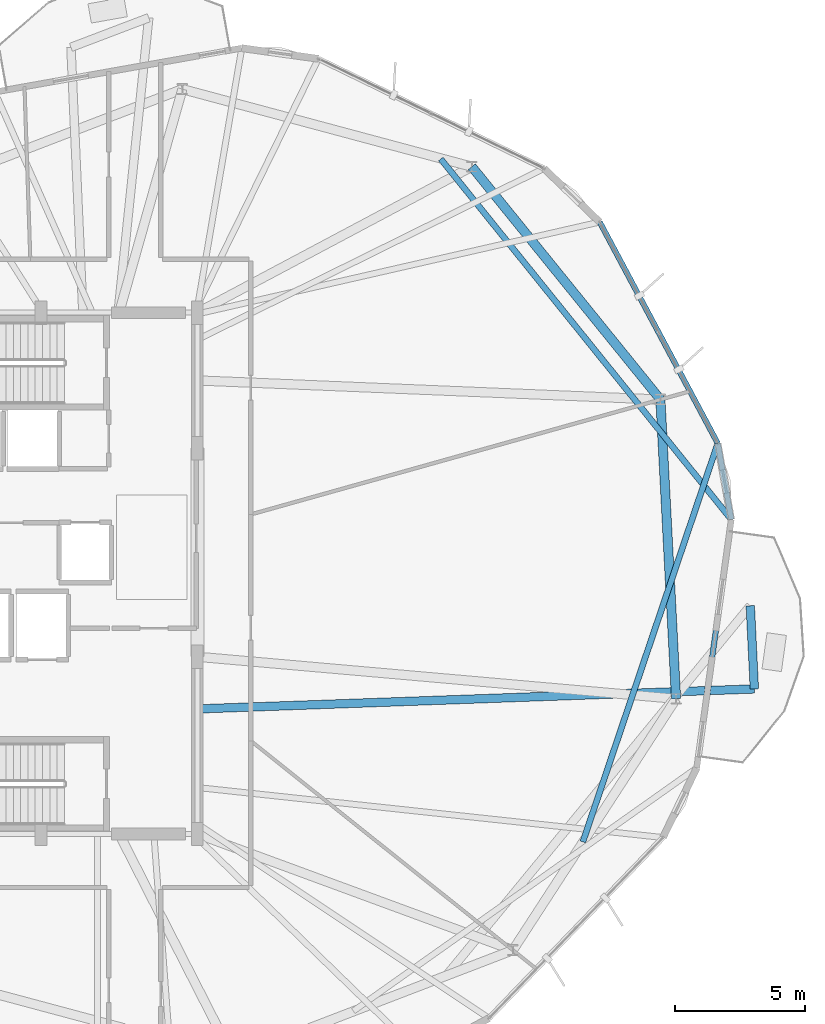
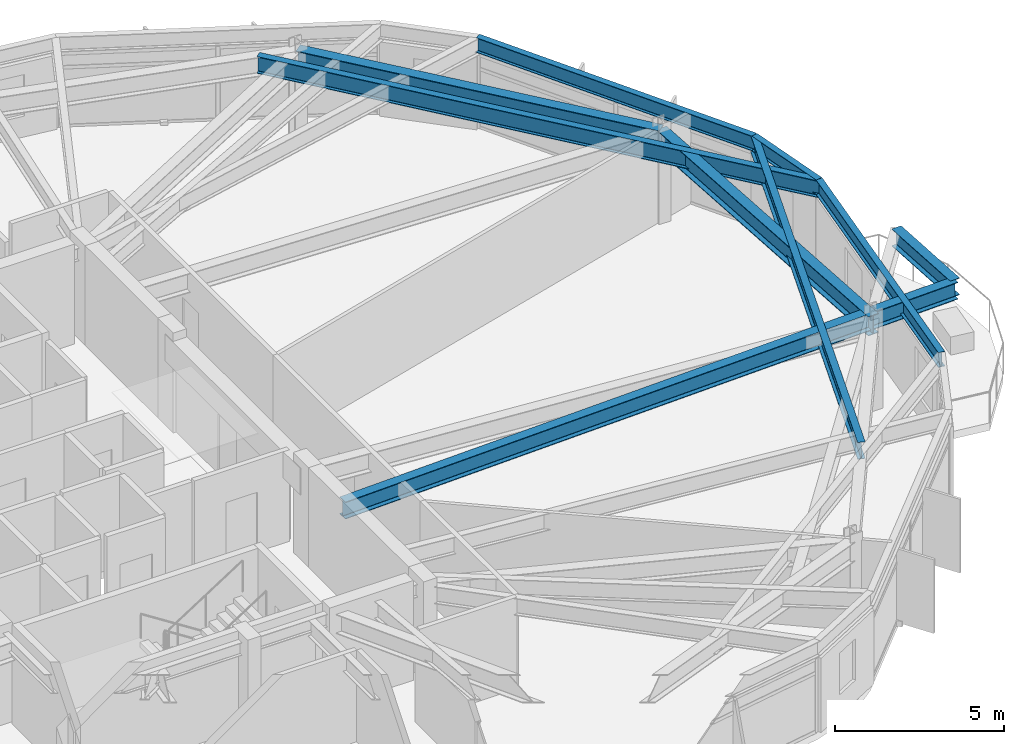
# One storey, part 14 of 28: 9 beams.
"""IFC4 building model written with IfcOpenShell, lengths in metres."""

from ifc_helpers import new_model, si_unit, direction, frame, origin, origin_2d, place, context, subcontext, project, spatial, i_section, extrude, material, material_profile, profile_set, type_object, element, save


model = new_model("IFC4")

# Units and contexts
model_context = context("Model", 3, precision=1e-05, world=origin(), true_north=direction((0.0, 1.0)))
body_context = subcontext(model_context, "Body", "Model", "MODEL_VIEW")
ifc_project = project(units=[si_unit("LENGTHUNIT", "METRE"), si_unit("AREAUNIT", "SQUARE_METRE"), si_unit("VOLUMEUNIT", "CUBIC_METRE"), si_unit("PLANEANGLEUNIT", "RADIAN"), si_unit("MASSUNIT", "GRAM", prefix="KILO")], contexts=[model_context])

# Site, building, storey
site_placement = place(None, origin())
site = spatial("IfcSite", under=ifc_project, at=site_placement, CompositionType="ELEMENT")
building_placement = place(site_placement, origin())
building = spatial("IfcBuilding", under=site, at=building_placement, Name="Soratama Intermodal Tower", CompositionType="ELEMENT")
storey_placement = place(building_placement, frame((0.0, 0.0, 205.0)))
storey = spatial("IfcBuildingStorey", under=building, at=storey_placement, Name="L51", CompositionType="ELEMENT", Elevation=205.0)

# Beams
ifc_material_1 = material(Name="Structural steel ASTM A992 Grade 50", Category="steel")
ifc_material_profile_1 = material_profile(ifc_material_1, i_section(OverallWidth=0.324951171875, OverallDepth=0.615966796875, WebThickness=0.013916015625, FlangeThickness=0.021484375, FilletRadius=0.013916015625, at=origin_2d()), Name="W24X117")
ifc_profile_set_1 = profile_set([ifc_material_profile_1], Name="Structural steel ASTM A992 Grade 50")
beam_type_1 = type_object("IfcBeamType", Name="BM-CANT-W24X117", PredefinedType="BEAM", material=ifc_profile_set_1)
beam_1_placement = place(storey_placement, frame((65.968994140625, 20.56494140625, 2.991943359375), z_axis=(-0.048828535326, 0.998807175654, 0.0), x_axis=(-0.998807175654, -0.048828535326, 0.0)))
element("IfcBeam", 1, at=beam_1_placement, inside=storey, type_object=beam_type_1, Name="BM-L51-CBHDR-1", PredefinedType="BEAM", context=body_context, shape_type="SweptSolid", body=[
    extrude(i_section(OverallWidth=0.324951171875, OverallDepth=0.615966796875, WebThickness=0.013916015625, FlangeThickness=0.021484375, FilletRadius=0.013916015625, at=origin_2d()), origin(), (0.0, 0.0, 1.0), 3.195068359375),
])
beam_2_placement = place(storey_placement, frame((44.639892578125, 19.799072265625, 2.991943359375), z_axis=(0.999355957825, 0.035884112903, 0.0), x_axis=(-0.035884112903, 0.999355957825, 0.0)))
element("IfcBeam", 2, at=beam_2_placement, inside=storey, type_object=beam_type_1, Name="BM-L51-CANT-1-1", PredefinedType="BEAM", context=body_context, shape_type="SweptSolid", body=[
    extrude(i_section(OverallWidth=0.324951171875, OverallDepth=0.615966796875, WebThickness=0.013916015625, FlangeThickness=0.021484375, FilletRadius=0.013916015625, at=origin_2d()), origin(), (0.0, 0.0, 1.0), 21.3427734375),
])
ifc_material_2 = material(Name="Structural steel ASTM A992 Grade 50", Category="steel")
ifc_material_profile_2 = material_profile(ifc_material_2, i_section(OverallWidth=0.35498046875, OverallDepth=0.695068359375, WebThickness=0.015380859375, FlangeThickness=0.02490234375, FilletRadius=0.01611328125, at=origin_2d()), Name="W27X146")
ifc_profile_set_2 = profile_set([ifc_material_profile_2], Name="Structural steel ASTM A992 Grade 50")
beam_type_2 = type_object("IfcBeamType", Name="BM-RING-W27X146", PredefinedType="BEAM", material=ifc_profile_set_2)
for number, where, z_axis, x_axis, name in (
    (3, (62.364990234375, 31.666015625, 2.952392578125), (-0.629384551156, 0.777094001242, 0.0), (-0.777094001242, -0.629384551156, 0.0), "BM-L51-RING-01"),
    (4, (62.966064453125, 20.18603515625, 2.952392578125), (-0.052286849724, 0.998632107108, 0.0), (-0.998632107108, -0.052286849724, 0.0), "BM-L51-RING-10"),
):
    element("IfcBeam", number, at=place(storey_placement, frame(where, z_axis=z_axis, x_axis=x_axis)), inside=storey, type_object=beam_type_2, Name=name, PredefinedType="BEAM", context=body_context, shape_type="SweptSolid", body=[
        extrude(i_section(OverallWidth=0.35498046875, OverallDepth=0.695068359375, WebThickness=0.015380859375, FlangeThickness=0.02490234375, FilletRadius=0.01611328125, at=origin_2d()), origin(), (0.0, 0.0, 1.0), 11.49560546875),
    ])
ifc_material_3 = material(Name="Structural steel ASTM A992 Grade 50", Category="steel")
ifc_material_profile_3 = material_profile(ifc_material_3, i_section(OverallWidth=0.2099609375, OverallDepth=0.537109375, WebThickness=0.010986328125, FlangeThickness=0.017333984375, FilletRadius=0.012939453125, at=origin_2d()), Name="W21X68")
ifc_profile_set_3 = profile_set([ifc_material_profile_3], Name="Structural steel ASTM A992 Grade 50")
beam_type_3 = type_object("IfcBeamType", Name="BM-SPN-W21X68", PredefinedType="SPANDREL", material=ifc_profile_set_3)
beam_3_placement = place(storey_placement, frame((63.760009765625, 17.531982421875, 3.031494140625), z_axis=(0.137776463125, 0.990463349251, 0.0), x_axis=(-0.990463349251, 0.137776463125, 0.0)))
element("IfcBeam", 5, at=beam_3_placement, inside=storey, type_object=beam_type_3, Name="BS-L51-F09", PredefinedType="SPANDREL", context=body_context, shape_type="SweptSolid", body=[
    extrude(i_section(OverallWidth=0.2099609375, OverallDepth=0.537109375, WebThickness=0.010986328125, FlangeThickness=0.017333984375, FilletRadius=0.012939453125, at=origin_2d()), origin(), (0.0, 0.0, 1.0), 9.623779296875),
])
beam_4_placement = place(storey_placement, frame((65.0859375, 27.06396484375, 3.031494140625), z_axis=(-0.174944703831, 0.984578260273, 0.0), x_axis=(-0.984578260273, -0.174944703831, 0.0)))
element("IfcBeam", 6, at=beam_4_placement, inside=storey, type_object=beam_type_3, Name="BS-L51-CRN09", PredefinedType="SPANDREL", context=body_context, shape_type="SweptSolid", body=[
    extrude(i_section(OverallWidth=0.2099609375, OverallDepth=0.537109375, WebThickness=0.010986328125, FlangeThickness=0.017333984375, FilletRadius=0.012939453125, at=origin_2d()), origin(), (0.0, 0.0, 1.0), 2.966796875),
])
beam_5_placement = place(storey_placement, frame((64.56689453125, 29.985107421875, 3.031494140625), z_axis=(-0.470690935856, 0.882298159866, 0.0), x_axis=(-0.882298159866, -0.470690935856, 0.0)))
element("IfcBeam", 7, at=beam_5_placement, inside=storey, type_object=beam_type_3, Name="BS-L51-F10", PredefinedType="SPANDREL", context=body_context, shape_type="SweptSolid", body=[
    extrude(i_section(OverallWidth=0.2099609375, OverallDepth=0.537109375, WebThickness=0.010986328125, FlangeThickness=0.017333984375, FilletRadius=0.012939453125, at=origin_2d()), origin(), (0.0, 0.0, 1.0), 9.623779296875),
])
ifc_material_4 = material(Name="Structural steel ASTM A992 Grade 50", Category="steel")
ifc_material_profile_4 = material_profile(ifc_material_4, i_section(OverallWidth=0.22900390625, OverallDepth=0.612060546875, WebThickness=0.011962890625, FlangeThickness=0.01953125, FilletRadius=0.012939453125, at=origin_2d()), Name="W24X84")
ifc_profile_set_4 = profile_set([ifc_material_profile_4], Name="Structural steel ASTM A992 Grade 50")
beam_type_4 = type_object("IfcBeamType", Name="BM-TIE-W24X84", PredefinedType="BEAM", material=ifc_profile_set_4)
beam_6_placement = place(storey_placement, frame((53.93994140625, 40.89404296875, 2.993896484375), z_axis=(0.627503644027, -0.778613624805, 0.0), x_axis=(0.778613624805, 0.627503644027, 0.0)))
element("IfcBeam", 8, at=beam_6_placement, inside=storey, type_object=beam_type_4, Name="BM-L51-TIE1-09", PredefinedType="BEAM", context=body_context, shape_type="SweptSolid", body=[
    extrude(i_section(OverallWidth=0.22900390625, OverallDepth=0.612060546875, WebThickness=0.011962890625, FlangeThickness=0.01953125, FilletRadius=0.012939453125, at=origin_2d()), origin(), (0.0, 0.0, 1.0), 17.762451171875),
])
beam_7_placement = place(storey_placement, frame((59.389892578125, 14.697021484375, 2.993896484375), z_axis=(0.320739188098, 0.947167552874, 0.0), x_axis=(-0.947167552874, 0.320739188098, 0.0)))
element("IfcBeam", 9, at=beam_7_placement, inside=storey, type_object=beam_type_4, Name="BM-L51-TIE0-10", PredefinedType="BEAM", context=body_context, shape_type="SweptSolid", body=[
    extrude(i_section(OverallWidth=0.22900390625, OverallDepth=0.612060546875, WebThickness=0.011962890625, FlangeThickness=0.01953125, FilletRadius=0.012939453125, at=origin_2d()), origin(), (0.0, 0.0, 1.0), 16.140869140625),
])

save(model, "model.ifc")
